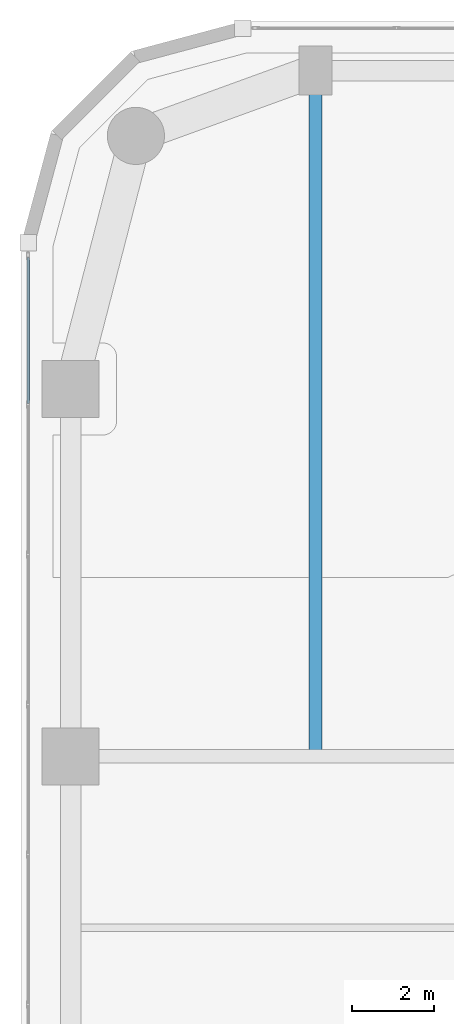
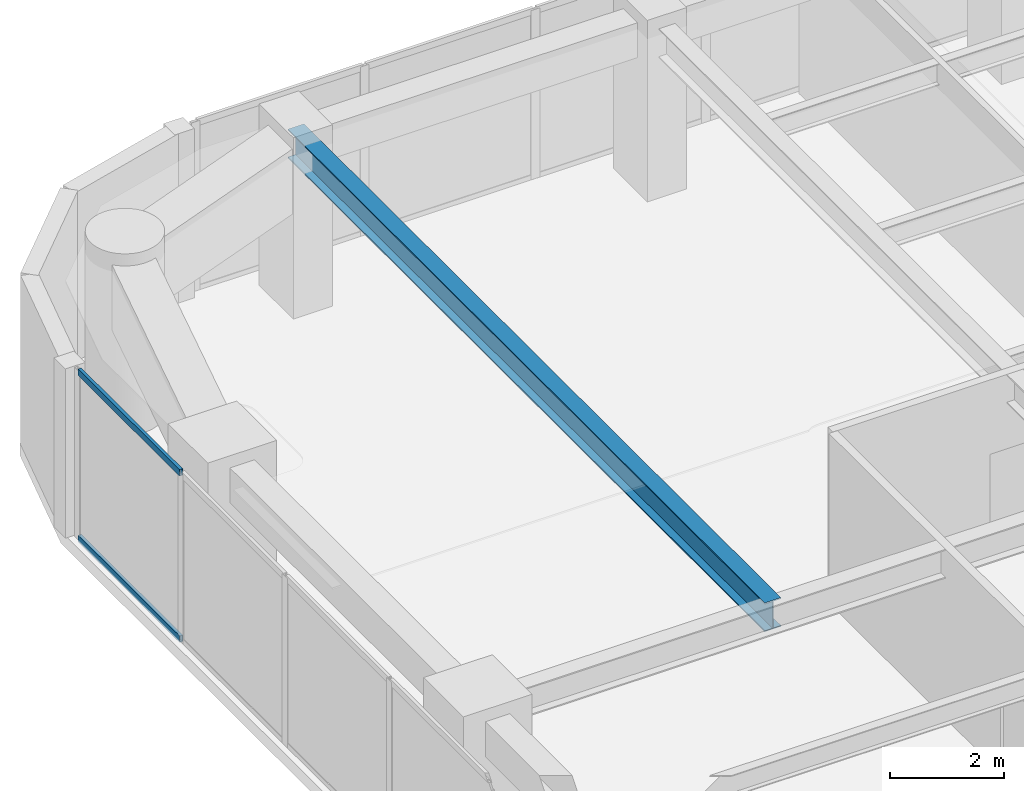
# One storey, part 10 of 24: 2 members, 1 beam, 1 element without a shape of its own.
"""IFC4 building model written with IfcOpenShell, lengths in metres."""

from ifc_helpers import new_model, si_unit, direction, frame, origin, origin_2d, place, context, subcontext, project, spatial, hollow_rectangle, i_section, extrude, material, layer, layer_set, material_profile, profile_set, type_object, element, aggregate, save


model = new_model("IFC4")

# Units and contexts
model_context = context("Model", 3, precision=1e-05, world=origin(), true_north=direction((0.0, 1.0)))
body_context = subcontext(model_context, "Body", "Model", "MODEL_VIEW")
ifc_project = project(units=[si_unit("LENGTHUNIT", "METRE"), si_unit("AREAUNIT", "SQUARE_METRE"), si_unit("VOLUMEUNIT", "CUBIC_METRE"), si_unit("PLANEANGLEUNIT", "RADIAN"), si_unit("MASSUNIT", "GRAM", prefix="KILO")], contexts=[model_context])

# Site, building, storey
site_placement = place(None, origin())
site = spatial("IfcSite", under=ifc_project, at=site_placement, CompositionType="ELEMENT")
building_placement = place(site_placement, origin())
building = spatial("IfcBuilding", under=site, at=building_placement, Name="Kiyonajd Concourse Tower", CompositionType="ELEMENT")
storey_placement = place(building_placement, frame((0.0, 0.0, 113.10009765625)))
storey = spatial("IfcBuildingStorey", under=building, at=storey_placement, Name="L29", CompositionType="ELEMENT", Elevation=113.10009765625)

# Beam
ifc_material_1 = material(Name="Steel ASTM A992 Grade 50", Category="steel")
ifc_material_profile_1 = material_profile(ifc_material_1, i_section(OverallWidth=0.326904296875, OverallDepth=0.6220703125, WebThickness=0.015380859375, FlangeThickness=0.0244140625, at=origin_2d()), Name="W610X195")
ifc_profile_set_1 = profile_set([ifc_material_profile_1], Name="Steel ASTM A992 Grade 50")
beam_type = type_object("IfcBeamType", Name="BM-TWR-610A", PredefinedType="BEAM", material=ifc_profile_set_1)
beam_placement = place(storey_placement, frame((25.199951171875, 44.39990234375, 3.328857421875), z_axis=(0.0, 1.0, 0.0), x_axis=(-1.0, 0.0, 0.0)))
element("IfcBeam", 1, at=beam_placement, inside=storey, type_object=beam_type, Name="L29 North Lease Girder", PredefinedType="BEAM", context=body_context, shape_type="SweptSolid", body=[
    extrude(i_section(OverallWidth=0.326904296875, OverallDepth=0.6220703125, WebThickness=0.015380859375, FlangeThickness=0.0244140625, at=origin_2d()), origin(), (0.0, 0.0, 1.0), 16.800048828125),
])

# Curtain wall, members
ifc_material_2 = material(Name="Thermally Broken Anodised Aluminium", Category="aluminium")
ifc_layer = layer(ifc_material_2, 0.179931640625)
ifc_layer_set = layer_set([ifc_layer], Name="Thermally Broken Anodised Aluminium")
curtain_wall_type = type_object("IfcCurtainWallType", Name="CW-SYS-03", PredefinedType="NOTDEFINED", material=ifc_layer_set)
curtain_wall_placement = place(storey_placement, origin())
curtain_wall = element("IfcCurtainWall", 2, at=curtain_wall_placement, inside=storey, type_object=curtain_wall_type, Name="L29 Unitised Curtain Wall CW3", PredefinedType="NOTDEFINED")
ifc_material_profile_2 = material_profile(ifc_material_2, hollow_rectangle(XDim=0.06494140625, YDim=0.139892578125, WallThickness=0.00390625, at=origin_2d()), Name="TRAN-65x140")
ifc_profile_set_2 = profile_set([ifc_material_profile_2], Name="Thermally Broken Anodised Aluminium")
member_type = type_object("IfcMemberType", Name="MB-CW-TRAN1", PredefinedType="USERDEFINED", material=ifc_profile_set_2)
member_1_placement = place(storey_placement, frame((18.159912109375, 53.04833984375, 0.032470703125), z_axis=(0.0, 1.0, 0.0), x_axis=(-1.0, 0.0, 0.0)))
member_1 = element("IfcMember", 3, at=member_1_placement, type_object=member_type, Name="CW3 transom 6.1", ObjectType="TRANSOM", PredefinedType="USERDEFINED", context=body_context, shape_type="SweptSolid", body=[
    extrude(hollow_rectangle(XDim=0.06494140625, YDim=0.139892578125, WallThickness=0.00390625, at=origin_2d()), origin(), (0.0, 0.0, 1.0), 3.575439453125),
])
member_2_placement = place(storey_placement, frame((18.159912109375, 53.04833984375, 3.607421875), z_axis=(0.0, 1.0, 0.0), x_axis=(-1.0, 0.0, 0.0)))
member_2 = element("IfcMember", 4, at=member_2_placement, type_object=member_type, Name="CW3 transom 6.2", ObjectType="TRANSOM", PredefinedType="USERDEFINED", context=body_context, shape_type="SweptSolid", body=[
    extrude(hollow_rectangle(XDim=0.06494140625, YDim=0.139892578125, WallThickness=0.00390625, at=origin_2d()), origin(), (0.0, 0.0, 1.0), 3.575439453125),
])
aggregate(curtain_wall, [member_1, member_2])

save(model, "model.ifc")
